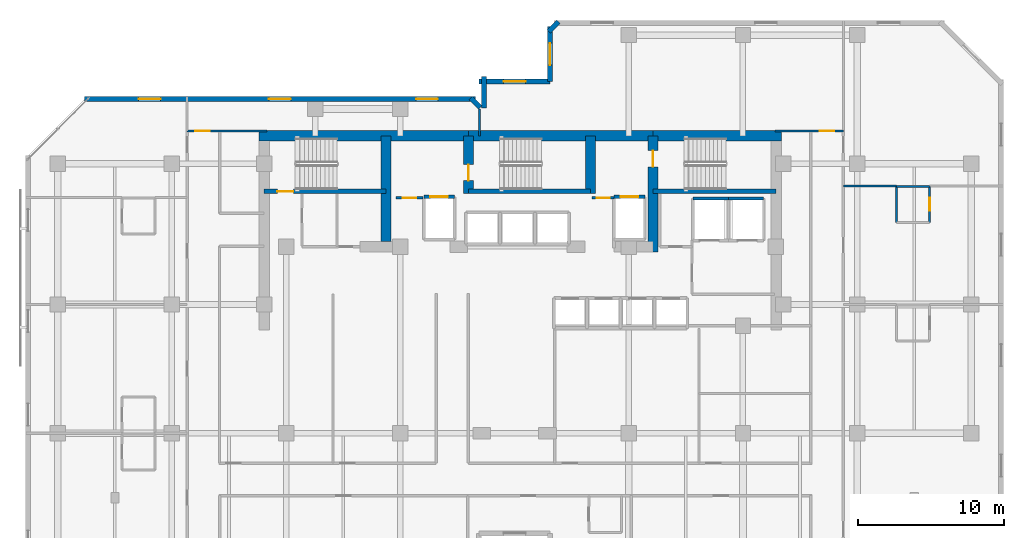
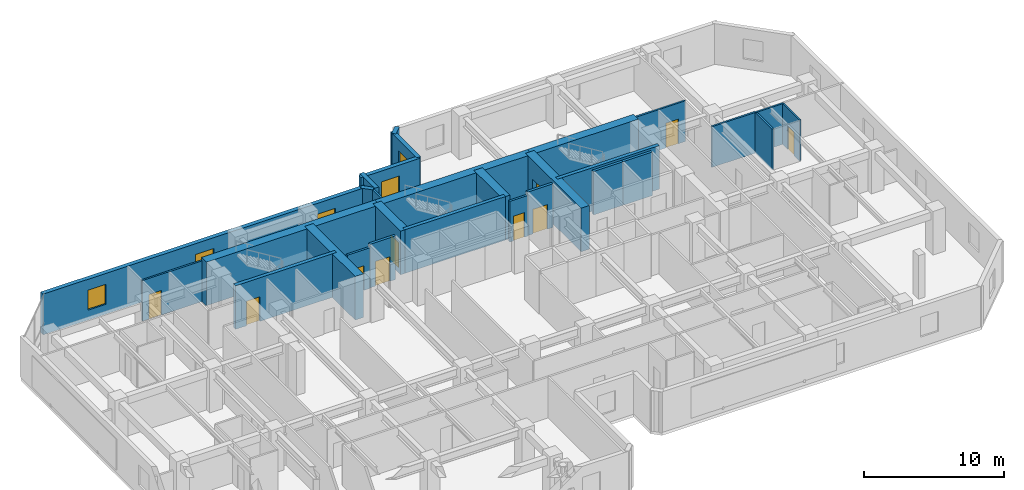
# One storey, part 8 of 11: 29 walls, 10 doors, 5 windows, 15 openings.
"""IFC4 building model written with IfcOpenShell, lengths in metres."""

import ifcopenshell
import ifcopenshell.guid

model = None  # the IFC model being written
_history = None  # IfcOwnerHistory: only IFC2X3 demands one
_inside = {}  # id of a spatial element -> (the spatial element, [elements in it])
_under = {}  # id of a project, library or spatial element -> (it, [spatial elements below it])
_declared = {}  # id of a project -> (the project, [libraries it declares])
_typed = {}  # id of a type object -> (the type object, [elements of that type])
_made_of = {}  # id of a material, layer set ... -> (it, [elements and type objects made of it])


def new_model(schema):
    """Start an empty IFC model of exactly this schema.

    Asked for "IFC4X3", IfcOpenShell would pick the latest addendum, in which some entities
    have other attributes; the version numbers below select the first issue.
    IFC2X3 requires an IfcOwnerHistory on every rooted entity: one is made here for all.
    """
    global model, _history
    if schema == "IFC4X3":
        model = ifcopenshell.file(schema_version=(4, 3, 0, 0))
    else:
        model = ifcopenshell.file(schema=schema)
    _inside.clear()
    _under.clear()
    _declared.clear()
    _typed.clear()
    _made_of.clear()
    _history = None
    if model.schema == "IFC2X3":
        org = make("IfcOrganization", Name="unknown")
        user = make(
            "IfcPersonAndOrganization",
            ThePerson=make("IfcPerson", FamilyName="unknown"),
            TheOrganization=org,
        )
        app = make(
            "IfcApplication",
            ApplicationDeveloper=org,
            Version="unknown",
            ApplicationFullName="unknown",
            ApplicationIdentifier="unknown",
        )
        _history = make(
            "IfcOwnerHistory",
            OwningUser=user,
            OwningApplication=app,
            ChangeAction="ADDED",
            CreationDate=0,
        )
    return model


def make(cls, **values):
    """One entity of the class cls with the attributes given. An attribute that is None is left unset."""
    return model.create_entity(
        cls, **{name: value for name, value in values.items() if value is not None}
    )


def rooted(cls, **values):
    """An entity with a GlobalId (a new one), such as an element, a storey or a relation."""
    return make(cls, GlobalId=ifcopenshell.guid.new(), OwnerHistory=_history, **values)


def si_unit(unit_type, name, prefix=None):
    """IfcSIUnit, for example si_unit("LENGTHUNIT", "METRE", prefix="MILLI")."""
    return make("IfcSIUnit", UnitType=unit_type, Prefix=prefix, Name=name)


def assignment(units):
    """IfcUnitAssignment: the units of a project."""
    return None if units is None else make("IfcUnitAssignment", Units=units)


def point(xyz):
    """IfcCartesianPoint."""
    return None if xyz is None else make("IfcCartesianPoint", Coordinates=xyz)


def direction(xyz):
    """IfcDirection."""
    return None if xyz is None else make("IfcDirection", DirectionRatios=xyz)


def frame(location, z_axis=None, x_axis=None):
    """IfcAxis2Placement3D, a coordinate frame: its origin and axes. An axis left out is left unset."""
    return make(
        "IfcAxis2Placement3D",
        Location=point(location),
        Axis=direction(z_axis),
        RefDirection=direction(x_axis),
    )


def frame_2d(location, x_axis=None):
    """IfcAxis2Placement2D, a coordinate frame in the plane: its origin and x axis."""
    return make(
        "IfcAxis2Placement2D", Location=point(location), RefDirection=direction(x_axis)
    )


def origin():
    """The frame at (0, 0, 0) with its axes left unset."""
    return frame((0.0, 0.0, 0.0))


def place(relative_to, where):
    """IfcLocalPlacement: puts the frame where relative to a parent placement (None: the world)."""
    return make(
        "IfcLocalPlacement", PlacementRelTo=relative_to, RelativePlacement=where
    )


def context(
    kind, dimensions, precision=None, world=None, true_north=None, identifier=None
):
    """IfcGeometricRepresentationContext, for example the 3D "Model" context."""
    return make(
        "IfcGeometricRepresentationContext",
        ContextIdentifier=identifier,
        ContextType=kind,
        CoordinateSpaceDimension=dimensions,
        Precision=precision,
        WorldCoordinateSystem=world,
        TrueNorth=true_north,
    )


def subcontext(parent, identifier, kind, view, scale=None):
    """IfcGeometricRepresentationSubContext, for example "Body" below "Model"."""
    return make(
        "IfcGeometricRepresentationSubContext",
        ContextIdentifier=identifier,
        ContextType=kind,
        ParentContext=parent,
        TargetScale=scale,
        TargetView=view,
    )


def project(units=None, contexts=None):
    """IfcProject with its units and contexts."""
    return rooted(
        "IfcProject",
        Name="project",
        RepresentationContexts=contexts,
        UnitsInContext=assignment(units),
    )


def spatial(cls, under=None, at=None, **own):
    """A site, building, storey or space (cls), placed at a placement, below another one or the project."""
    s = rooted(cls, ObjectPlacement=at, **own)
    if under is not None:
        _under.setdefault(under.id(), (under, []))[1].append(s)
    return s


def profile(cls, at=None, kind="AREA", **sizes):
    """A parametric profile (cls). Its sizes go by their IFC names, for example OverallWidth=200.0."""
    return make(cls, ProfileType=kind, Position=at, **sizes)


def rectangle(**sizes):
    """IfcRectangleProfileDef."""
    return profile("IfcRectangleProfileDef", **sizes)


def extrude(swept, where, along, depth):
    """IfcExtrudedAreaSolid: the profile swept, set in the frame where, extruded along a direction by depth."""
    return make(
        "IfcExtrudedAreaSolid",
        SweptArea=swept,
        Position=where,
        ExtrudedDirection=direction(along),
        Depth=depth,
    )


def shape(context_of_items, identifier, shape_type, items):
    """IfcShapeRepresentation: the items that make up one representation, for example the "Body"."""
    return make(
        "IfcShapeRepresentation",
        ContextOfItems=context_of_items,
        RepresentationIdentifier=identifier,
        RepresentationType=shape_type,
        Items=items,
    )


def material(Name=None, Category=None):
    """IfcMaterial."""
    return make("IfcMaterial", Name=Name, Category=Category)


def layer(
    of_material, thickness, ventilated=None, Name=None, Category=None, Priority=None
):
    """IfcMaterialLayer: one layer of a wall or slab, of a material (None: an air gap)."""
    return make(
        "IfcMaterialLayer",
        Material=of_material,
        LayerThickness=thickness,
        IsVentilated=ventilated,
        Name=Name,
        Category=Category,
        Priority=Priority,
    )


def layer_set(layers, Name=None):
    """IfcMaterialLayerSet."""
    return make("IfcMaterialLayerSet", MaterialLayers=layers, LayerSetName=Name)


def made_of(thing, what):
    """Note that an element or type object is made of a material, layer set ...; save() writes the relation."""
    if what is not None:
        _made_of.setdefault(what.id(), (what, []))[1].append(thing)
    return thing


def type_object(cls, material=None, **own):
    """A type object (cls), such as IfcWallType, which elements share."""
    return made_of(rooted(cls, **own), material)


def element(
    cls,
    number,
    at=None,
    inside=None,
    cuts=None,
    type_object=None,
    material=None,
    context=None,
    identifier="Body",
    shape_type=None,
    held_by="IfcProductDefinitionShape",
    body=None,
    shapes=None,
    **own,
):
    """One element of the class cls, such as IfcWall. Its Tag is "e" and its number.

    at: its placement. inside: the storey or other place that contains it. cuts: it is an
    opening in that element (IfcRelVoidsElement). A single representation is given by context,
    identifier, shape_type and body (its items); several are given by shapes. held_by: the class
    of the entity that holds the representations. save() writes the other relations.
    """
    e = rooted(cls, Tag="e%d" % number, ObjectPlacement=at, **own)
    if body is not None:
        shapes = [shape(context, identifier, shape_type, body)]
    if shapes is not None:
        e.Representation = make(held_by, Representations=shapes)
    if inside is not None:
        _inside.setdefault(inside.id(), (inside, []))[1].append(e)
    if cuts is not None:
        rooted(
            "IfcRelVoidsElement", RelatingBuildingElement=cuts, RelatedOpeningElement=e
        )
    if type_object is not None:
        _typed.setdefault(type_object.id(), (type_object, []))[1].append(e)
    return made_of(e, material)


def fill(opening, filler):
    """IfcRelFillsElement: the door or window that sits in an opening."""
    return rooted(
        "IfcRelFillsElement",
        RelatingOpeningElement=opening,
        RelatedBuildingElement=filler,
    )


def aggregate(whole, parts):
    """IfcRelAggregates: a whole, such as a stair, and the parts it consists of."""
    return rooted("IfcRelAggregates", RelatingObject=whole, RelatedObjects=parts)


def save(model, path):
    """Write the relations noted so far, then the file.

    IfcRelAggregates (storeys below a building ...), IfcRelContainedInSpatialStructure (elements
    in a storey), IfcRelDefinesByType, IfcRelAssociatesMaterial and IfcRelDeclares: one each for
    every whole, place, type object, material and project.
    """
    for whole, parts in _under.values():
        aggregate(whole, parts)
    for where, things in _inside.values():
        rooted(
            "IfcRelContainedInSpatialStructure",
            RelatedElements=things,
            RelatingStructure=where,
        )
    for kind, things in _typed.values():
        rooted("IfcRelDefinesByType", RelatedObjects=things, RelatingType=kind)
    for what, things in _made_of.values():
        rooted("IfcRelAssociatesMaterial", RelatedObjects=things, RelatingMaterial=what)
    for by, libraries in _declared.values():
        rooted("IfcRelDeclares", RelatingContext=by, RelatedDefinitions=libraries)
    model.write(path)


model = new_model("IFC4")

# Units and contexts
model_context = context("Model", 3, precision=1e-05, world=origin(), true_north=direction((0.0, 1.0)))
body_context = subcontext(model_context, "Body", "Model", "MODEL_VIEW")
ifc_project = project(units=[si_unit("LENGTHUNIT", "METRE"), si_unit("AREAUNIT", "SQUARE_METRE"), si_unit("VOLUMEUNIT", "CUBIC_METRE"), si_unit("PLANEANGLEUNIT", "RADIAN"), si_unit("MASSUNIT", "GRAM", prefix="KILO")], contexts=[model_context])

# Site, building, storey
site_placement = place(None, origin())
site = spatial("IfcSite", under=ifc_project, at=site_placement, CompositionType="ELEMENT")
building_placement = place(site_placement, origin())
building = spatial("IfcBuilding", under=site, at=building_placement, Name="Kestravale Grand Hotel", CompositionType="ELEMENT")
storey_placement = place(building_placement, frame((0.0, 0.0, 165.0)))
storey = spatial("IfcBuildingStorey", under=building, at=storey_placement, Name="L41", CompositionType="ELEMENT", Elevation=165.0)

# Walls
ifc_material_1 = material(Name="Concrete f'c 60 MPa", Category="concrete")
ifc_layer_1 = layer(ifc_material_1, 0.699951171875)
ifc_layer_set_1 = layer_set([ifc_layer_1], Name="EW-CORE-700")
wall_type_1 = type_object("IfcWallType", Name="EW-CORE-700", PredefinedType="SHEAR", material=ifc_layer_set_1)
wall_1_placement = place(storey_placement, frame((21.550048828125, 40.320068359375, 0.0), z_axis=(0.0, 0.0, 1.0), x_axis=(1.0, 0.0, 0.0)))
element("IfcWall", 1, at=wall_1_placement, inside=storey, type_object=wall_type_1, Name="L41 core shear wall N1", PredefinedType="SHEAR", context=body_context, shape_type="SweptSolid", body=[
    extrude(rectangle(XDim=14.300048828125, YDim=0.699951171875, at=frame_2d((7.14990234375, 0.0))), origin(), (0.0, 0.0, 1.0), 3.800048828125),
])
wall_2_placement = place(storey_placement, frame((35.85009765625, 40.320068359375, 0.0), z_axis=(0.0, 0.0, 1.0), x_axis=(1.0, 0.0, 0.0)))
element("IfcWall", 2, at=wall_2_placement, inside=storey, type_object=wall_type_1, Name="L41 core shear wall N2", PredefinedType="SHEAR", context=body_context, shape_type="SweptSolid", body=[
    extrude(rectangle(XDim=12.599853515625, YDim=0.699951171875, at=frame_2d((6.2998046875, 0.0))), origin(), (0.0, 0.0, 1.0), 3.800048828125),
])
wall_3_placement = place(storey_placement, frame((48.449951171875, 40.320068359375, 0.0), z_axis=(0.0, 0.0, 1.0), x_axis=(1.0, 0.0, 0.0)))
element("IfcWall", 3, at=wall_3_placement, inside=storey, type_object=wall_type_1, Name="L41 core shear wall N3", PredefinedType="SHEAR", context=body_context, shape_type="SweptSolid", body=[
    extrude(rectangle(XDim=8.77001953125, YDim=0.699951171875, at=frame_2d((4.385009765625, 0.0))), origin(), (0.0, 0.0, 1.0), 3.800048828125),
])
wall_4_placement = place(storey_placement, frame((30.219970703125, 33.10009765625, 0.0), z_axis=(0.0, 0.0, 1.0), x_axis=(0.0, 1.0, 0.0)))
element("IfcWall", 4, at=wall_4_placement, inside=storey, type_object=wall_type_1, Name="L41 core shear wall X1", PredefinedType="SHEAR", context=body_context, shape_type="SweptSolid", body=[
    extrude(rectangle(XDim=7.219970703125, YDim=0.699951171875, at=frame_2d((3.60986328125, 0.0))), origin(), (0.0, 0.0, 1.0), 3.800048828125),
])

# Wall, opening, door
wall_5_placement = place(storey_placement, frame((35.85009765625, 36.3701171875, 0.0), z_axis=(0.0, 0.0, 1.0), x_axis=(0.0, 1.0, 0.0)))
wall_5 = element("IfcWall", 5, at=wall_5_placement, inside=storey, type_object=wall_type_1, Name="L41 core shear wall X2", PredefinedType="SHEAR", context=body_context, shape_type="SweptSolid", body=[
    extrude(rectangle(XDim=3.949951171875, YDim=0.699951171875, at=frame_2d((1.97509765625, 0.0))), origin(), (0.0, 0.0, 1.0), 3.800048828125),
])
opening_1_placement = place(wall_5_placement, frame((0.8798828125, 0.0, 0.0)))
opening_1 = element("IfcOpeningElement", 6, at=opening_1_placement, cuts=wall_5, Name="Opening D-ST-1100", PredefinedType="OPENING", context=body_context, shape_type="SweptSolid", body=[
    extrude(rectangle(XDim=1.10009765625, YDim=2.14990234375, at=frame_2d((0.550048828125, 1.074951171875))), frame((0.0, 0.35986328125, 0.0), z_axis=(0.0, -1.0, 0.0), x_axis=(1.0, 0.0, 0.0)), (0.0, 0.0, 1.0), 0.719970703125),
])
ifc_material_2 = material(Name="Galvanised 90-minute fire-rated steel stair door", Category="steel")
door_type_1 = type_object("IfcDoorType", Name="D-ST-1100", OperationType="NOTDEFINED", PredefinedType="DOOR", material=ifc_material_2)
door_1_placement = place(opening_1_placement, origin())
door_1 = element("IfcDoor", 7, at=door_1_placement, inside=storey, type_object=door_type_1, Name="L41 Stair ST-2 FSAE fire door", OperationType="SINGLE_SWING_RIGHT", OverallHeight=2.14990234375, OverallWidth=1.10009765625, PredefinedType="DOOR", context=body_context, shape_type="SweptSolid", body=[
    extrude(rectangle(XDim=1.10009765625, YDim=2.14990234375, at=frame_2d((0.550048828125, 1.074951171875))), frame((0.0, 0.02490234375, 0.0), z_axis=(0.0, -1.0, 0.0), x_axis=(1.0, 0.0, 0.0)), (0.0, 0.0, 1.0), 0.050048828125),
])
fill(opening_1, door_1)

# Wall
wall_6_placement = place(storey_placement, frame((44.179931640625, 36.3701171875, 0.0), z_axis=(0.0, 0.0, 1.0), x_axis=(0.0, 1.0, 0.0)))
element("IfcWall", 8, at=wall_6_placement, inside=storey, type_object=wall_type_1, Name="L41 core shear wall X3", PredefinedType="SHEAR", context=body_context, shape_type="SweptSolid", body=[
    extrude(rectangle(XDim=3.949951171875, YDim=0.699951171875, at=frame_2d((1.97509765625, 0.0))), origin(), (0.0, 0.0, 1.0), 3.800048828125),
])

# Wall, opening, door
wall_7_placement = place(storey_placement, frame((48.449951171875, 32.39990234375, 0.0), z_axis=(0.0, 0.0, 1.0), x_axis=(0.0, 1.0, 0.0)))
wall_7 = element("IfcWall", 9, at=wall_7_placement, inside=storey, type_object=wall_type_1, Name="L41 core shear wall X4", PredefinedType="SHEAR", context=body_context, shape_type="SweptSolid", body=[
    extrude(rectangle(XDim=7.920166015625, YDim=0.699951171875, at=frame_2d((3.9599609375, 0.0))), origin(), (0.0, 0.0, 1.0), 3.800048828125),
])
opening_2_placement = place(wall_7_placement, frame((5.800048828125, 0.0, 0.0)))
opening_2 = element("IfcOpeningElement", 10, at=opening_2_placement, cuts=wall_7, Name="Opening D-ST-1100", PredefinedType="OPENING", context=body_context, shape_type="SweptSolid", body=[
    extrude(rectangle(XDim=1.10009765625, YDim=2.14990234375, at=frame_2d((0.550048828125, 1.074951171875))), frame((0.0, 0.35986328125, 0.0), z_axis=(0.0, -1.0, 0.0), x_axis=(1.0, 0.0, 0.0)), (0.0, 0.0, 1.0), 0.719970703125),
])
door_2_placement = place(opening_2_placement, origin())
door_2 = element("IfcDoor", 11, at=door_2_placement, inside=storey, type_object=door_type_1, Name="L41 Stair ST-3 FSAE fire door", OperationType="SINGLE_SWING_RIGHT", OverallHeight=2.14990234375, OverallWidth=1.10009765625, PredefinedType="DOOR", context=body_context, shape_type="SweptSolid", body=[
    extrude(rectangle(XDim=1.10009765625, YDim=2.14990234375, at=frame_2d((0.550048828125, 1.074951171875))), frame((0.0, 0.02490234375, 0.0), z_axis=(0.0, -1.0, 0.0), x_axis=(1.0, 0.0, 0.0)), (0.0, 0.0, 1.0), 0.050048828125),
])
fill(opening_2, door_2)

# Wall
ifc_material_3 = material(Name="Precast concrete f'c 45 MPa", Category="concrete")
ifc_layer_2 = layer(ifc_material_3, 0.340087890625)
ifc_layer_set_2 = layer_set([ifc_layer_2], Name="EW-PREC-340")
wall_type_2 = type_object("IfcWallType", Name="EW-PREC-340", PredefinedType="SOLIDWALL", material=ifc_layer_set_2)
wall_8_placement = place(storey_placement, frame((41.99853515625, 48.108154296875, 0.0), z_axis=(0.0, 0.0, 1.0), x_axis=(-0.707106781187, -0.707106781187, 0.0)))
element("IfcWall", 12, at=wall_8_placement, inside=storey, type_object=wall_type_2, Name="L41 fluted precast facade wall 12", PredefinedType="SOLIDWALL", context=body_context, shape_type="SweptSolid", body=[
    extrude(rectangle(XDim=0.9287109375, YDim=0.340087890625, at=frame_2d((0.46435546875, 0.0))), origin(), (0.0, 0.0, 1.0), 3.550048828125),
])

# Wall, opening, window
wall_9_placement = place(storey_placement, frame((41.419921875, 47.77001953125, 0.0), z_axis=(0.0, 0.0, 1.0), x_axis=(0.0, -1.0, 0.0)))
wall_9 = element("IfcWall", 13, at=wall_9_placement, inside=storey, type_object=wall_type_2, Name="L41 fluted precast facade wall 13", PredefinedType="SOLIDWALL", context=body_context, shape_type="SweptSolid", body=[
    extrude(rectangle(XDim=3.739990234375, YDim=0.340087890625, at=frame_2d((1.8701171875, 0.0))), origin(), (0.0, 0.0, 1.0), 3.550048828125),
])
opening_3_placement = place(wall_9_placement, frame((1.1201171875, 0.0, 0.85009765625)))
opening_3 = element("IfcOpeningElement", 14, at=opening_3_placement, cuts=wall_9, Name="Opening W-GUEST-1500", PredefinedType="OPENING", context=body_context, shape_type="SweptSolid", body=[
    extrude(rectangle(XDim=1.5, YDim=1.75, at=frame_2d((0.75, 0.875))), frame((0.0, 0.179931640625, 0.0), z_axis=(0.0, -1.0, 0.0), x_axis=(1.0, 0.0, 0.0)), (0.0, 0.0, 1.0), 0.360107421875),
])
ifc_material_4 = material(Name="Insulated low-E double glazing in aluminium frame", Category="aluminium")
window_type = type_object("IfcWindowType", Name="W-GUEST-1500", PartitioningType="SINGLE_PANEL", PredefinedType="WINDOW", material=ifc_material_4)
window_1_placement = place(opening_3_placement, origin())
window_1 = element("IfcWindow", 15, at=window_1_placement, inside=storey, type_object=window_type, Name="L41 exterior window 13.1", OverallHeight=1.75, OverallWidth=1.5, PartitioningType="SINGLE_PANEL", PredefinedType="WINDOW", context=body_context, shape_type="SweptSolid", body=[
    extrude(rectangle(XDim=1.5, YDim=1.75, at=frame_2d((0.75, 0.875))), frame((0.0, 0.030029296875, 0.0), z_axis=(0.0, -1.0, 0.0), x_axis=(1.0, 0.0, 0.0)), (0.0, 0.0, 1.0), 0.06005859375),
])
fill(opening_3, window_1)

wall_10_placement = place(storey_placement, frame((41.419921875, 44.030029296875, 0.0), z_axis=(0.0, 0.0, 1.0), x_axis=(-1.0, 0.0, 0.0)))
wall_10 = element("IfcWall", 16, at=wall_10_placement, inside=storey, type_object=wall_type_2, Name="L41 fluted precast facade wall 14", PredefinedType="SOLIDWALL", context=body_context, shape_type="SweptSolid", body=[
    extrude(rectangle(XDim=4.83984375, YDim=0.340087890625, at=frame_2d((2.419921875, 0.0))), origin(), (0.0, 0.0, 1.0), 3.550048828125),
])
opening_4_placement = place(wall_10_placement, frame((1.669921875, 0.0, 0.85009765625)))
opening_4 = element("IfcOpeningElement", 17, at=opening_4_placement, cuts=wall_10, Name="Opening W-GUEST-1500", PredefinedType="OPENING", context=body_context, shape_type="SweptSolid", body=[
    extrude(rectangle(XDim=1.5, YDim=1.75, at=frame_2d((0.75, 0.875))), frame((0.0, 0.179931640625, 0.0), z_axis=(0.0, -1.0, 0.0), x_axis=(1.0, 0.0, 0.0)), (0.0, 0.0, 1.0), 0.360107421875),
])
window_2_placement = place(opening_4_placement, origin())
window_2 = element("IfcWindow", 18, at=window_2_placement, inside=storey, type_object=window_type, Name="L41 exterior window 14.1", OverallHeight=1.75, OverallWidth=1.5, PartitioningType="SINGLE_PANEL", PredefinedType="WINDOW", context=body_context, shape_type="SweptSolid", body=[
    extrude(rectangle(XDim=1.5, YDim=1.75, at=frame_2d((0.75, 0.875))), frame((0.0, 0.030029296875, 0.0), z_axis=(0.0, -1.0, 0.0), x_axis=(1.0, 0.0, 0.0)), (0.0, 0.0, 1.0), 0.06005859375),
])
fill(opening_4, window_2)

# Walls
wall_11_placement = place(storey_placement, frame((36.919921875, 44.3701171875, 0.0), z_axis=(0.0, 0.0, 1.0), x_axis=(0.0, -1.0, 0.0)))
element("IfcWall", 19, at=wall_11_placement, inside=storey, type_object=wall_type_2, Name="L41 fluted precast facade wall 15", PredefinedType="SOLIDWALL", context=body_context, shape_type="SweptSolid", body=[
    extrude(rectangle(XDim=2.14013671875, YDim=0.340087890625, at=frame_2d((1.070068359375, 0.0))), origin(), (0.0, 0.0, 1.0), 3.550048828125),
])
wall_12_placement = place(storey_placement, frame((36.658203125, 42.25146484375, 0.0), z_axis=(0.0, 0.0, 1.0), x_axis=(-0.707106781187, 0.707106781187, 0.0)))
element("IfcWall", 20, at=wall_12_placement, inside=storey, type_object=wall_type_2, Name="L41 fluted precast facade wall 16", PredefinedType="SOLIDWALL", context=body_context, shape_type="SweptSolid", body=[
    extrude(rectangle(XDim=0.9287109375, YDim=0.340087890625, at=frame_2d((0.46435546875, 0.0))), origin(), (0.0, 0.0, 1.0), 3.550048828125),
])

# Wall, openings, windows
wall_13_placement = place(storey_placement, frame((36.320068359375, 42.830078125, 0.0), z_axis=(0.0, 0.0, 1.0), x_axis=(-1.0, 0.0, 0.0)))
wall_13 = element("IfcWall", 21, at=wall_13_placement, inside=storey, type_object=wall_type_2, Name="L41 fluted precast facade wall 17", PredefinedType="SOLIDWALL", context=body_context, shape_type="SweptSolid", body=[
    extrude(rectangle(XDim=26.690185546875, YDim=0.340087890625, at=frame_2d((13.34521484375, 0.0))), origin(), (0.0, 0.0, 1.0), 3.550048828125),
])
opening_5_placement = place(wall_13_placement, frame((2.54833984375, 0.0, 0.85009765625)))
opening_5 = element("IfcOpeningElement", 22, at=opening_5_placement, cuts=wall_13, Name="Opening W-GUEST-1500", PredefinedType="OPENING", context=body_context, shape_type="SweptSolid", body=[
    extrude(rectangle(XDim=1.5, YDim=1.75, at=frame_2d((0.75, 0.875))), frame((0.0, 0.179931640625, 0.0), z_axis=(0.0, -1.0, 0.0), x_axis=(1.0, 0.0, 0.0)), (0.0, 0.0, 1.0), 0.360107421875),
])
opening_6_placement = place(wall_13_placement, frame((12.594970703125, 0.0, 0.85009765625)))
opening_6 = element("IfcOpeningElement", 23, at=opening_6_placement, cuts=wall_13, Name="Opening W-GUEST-1500", PredefinedType="OPENING", context=body_context, shape_type="SweptSolid", body=[
    extrude(rectangle(XDim=1.5, YDim=1.75, at=frame_2d((0.75, 0.875))), frame((0.0, 0.179931640625, 0.0), z_axis=(0.0, -1.0, 0.0), x_axis=(1.0, 0.0, 0.0)), (0.0, 0.0, 1.0), 0.360107421875),
])
opening_7_placement = place(wall_13_placement, frame((21.49169921875, 0.0, 0.85009765625)))
opening_7 = element("IfcOpeningElement", 24, at=opening_7_placement, cuts=wall_13, Name="Opening W-GUEST-1500", PredefinedType="OPENING", context=body_context, shape_type="SweptSolid", body=[
    extrude(rectangle(XDim=1.5, YDim=1.75, at=frame_2d((0.75, 0.875))), frame((0.0, 0.179931640625, 0.0), z_axis=(0.0, -1.0, 0.0), x_axis=(1.0, 0.0, 0.0)), (0.0, 0.0, 1.0), 0.360107421875),
])
window_3_placement = place(opening_5_placement, origin())
window_3 = element("IfcWindow", 25, at=window_3_placement, inside=storey, type_object=window_type, Name="L41 exterior window 17.1", OverallHeight=1.75, OverallWidth=1.5, PartitioningType="SINGLE_PANEL", PredefinedType="WINDOW", context=body_context, shape_type="SweptSolid", body=[
    extrude(rectangle(XDim=1.5, YDim=1.75, at=frame_2d((0.75, 0.875))), frame((0.0, 0.030029296875, 0.0), z_axis=(0.0, -1.0, 0.0), x_axis=(1.0, 0.0, 0.0)), (0.0, 0.0, 1.0), 0.06005859375),
])
fill(opening_5, window_3)
window_4_placement = place(opening_6_placement, origin())
window_4 = element("IfcWindow", 26, at=window_4_placement, inside=storey, type_object=window_type, Name="L41 exterior window 17.2", OverallHeight=1.75, OverallWidth=1.5, PartitioningType="SINGLE_PANEL", PredefinedType="WINDOW", context=body_context, shape_type="SweptSolid", body=[
    extrude(rectangle(XDim=1.5, YDim=1.75, at=frame_2d((0.75, 0.875))), frame((0.0, 0.030029296875, 0.0), z_axis=(0.0, -1.0, 0.0), x_axis=(1.0, 0.0, 0.0)), (0.0, 0.0, 1.0), 0.06005859375),
])
fill(opening_6, window_4)
window_5_placement = place(opening_7_placement, origin())
window_5 = element("IfcWindow", 27, at=window_5_placement, inside=storey, type_object=window_type, Name="L41 exterior window 17.3", OverallHeight=1.75, OverallWidth=1.5, PartitioningType="SINGLE_PANEL", PredefinedType="WINDOW", context=body_context, shape_type="SweptSolid", body=[
    extrude(rectangle(XDim=1.5, YDim=1.75, at=frame_2d((0.75, 0.875))), frame((0.0, 0.030029296875, 0.0), z_axis=(0.0, -1.0, 0.0), x_axis=(1.0, 0.0, 0.0)), (0.0, 0.0, 1.0), 0.06005859375),
])
fill(opening_7, window_5)

# Wall, opening, door
ifc_material_5 = material(Name="Concrete f'c 45 MPa", Category="concrete")
ifc_layer_3 = layer(ifc_material_5, 0.300048828125)
ifc_layer_set_3 = layer_set([ifc_layer_3], Name="EW-STAIR-300")
wall_type_3 = type_object("IfcWallType", Name="EW-STAIR-300", PredefinedType="SHEAR", material=ifc_layer_set_3)
wall_14_placement = place(storey_placement, frame((21.89990234375, 36.52001953125, 0.0), z_axis=(0.0, 0.0, 1.0), x_axis=(1.0, 0.0, 0.0)))
wall_14 = element("IfcWall", 28, at=wall_14_placement, inside=storey, type_object=wall_type_3, Name="L41 stair enclosure shear wall SST1", PredefinedType="SHEAR", context=body_context, shape_type="SweptSolid", body=[
    extrude(rectangle(XDim=8.320068359375, YDim=0.300048828125, at=frame_2d((4.16015625, 0.0))), origin(), (0.0, 0.0, 1.0), 3.800048828125),
])
opening_8_placement = place(wall_14_placement, frame((0.89990234375, 0.0, 0.0)))
opening_8 = element("IfcOpeningElement", 29, at=opening_8_placement, cuts=wall_14, Name="Opening D-ST-1100", PredefinedType="OPENING", context=body_context, shape_type="SweptSolid", body=[
    extrude(rectangle(XDim=1.10009765625, YDim=2.14990234375, at=frame_2d((0.550048828125, 1.074951171875))), frame((0.0, 0.159912109375, 0.0), z_axis=(0.0, -1.0, 0.0), x_axis=(1.0, 0.0, 0.0)), (0.0, 0.0, 1.0), 0.320068359375),
])
door_3_placement = place(opening_8_placement, origin())
door_3 = element("IfcDoor", 30, at=door_3_placement, inside=storey, type_object=door_type_1, Name="L41 Stair ST-1 fire door", OperationType="SINGLE_SWING_RIGHT", OverallHeight=2.14990234375, OverallWidth=1.10009765625, PredefinedType="DOOR", context=body_context, shape_type="SweptSolid", body=[
    extrude(rectangle(XDim=1.10009765625, YDim=2.14990234375, at=frame_2d((0.550048828125, 1.074951171875))), frame((0.0, 0.02490234375, 0.0), z_axis=(0.0, -1.0, 0.0), x_axis=(1.0, 0.0, 0.0)), (0.0, 0.0, 1.0), 0.050048828125),
])
fill(opening_8, door_3)

# Walls
wall_15_placement = place(storey_placement, frame((35.85009765625, 36.52001953125, 0.0), z_axis=(0.0, 0.0, 1.0), x_axis=(1.0, 0.0, 0.0)))
element("IfcWall", 31, at=wall_15_placement, inside=storey, type_object=wall_type_3, Name="L41 stair enclosure shear wall SST2", PredefinedType="SHEAR", context=body_context, shape_type="SweptSolid", body=[
    extrude(rectangle(XDim=8.329833984375, YDim=0.300048828125, at=frame_2d((4.1650390625, 0.0))), origin(), (0.0, 0.0, 1.0), 3.800048828125),
])
wall_16_placement = place(storey_placement, frame((48.449951171875, 36.52001953125, 0.0), z_axis=(0.0, 0.0, 1.0), x_axis=(1.0, 0.0, 0.0)))
element("IfcWall", 32, at=wall_16_placement, inside=storey, type_object=wall_type_3, Name="L41 stair enclosure shear wall SST3", PredefinedType="SHEAR", context=body_context, shape_type="SweptSolid", body=[
    extrude(rectangle(XDim=8.420166015625, YDim=0.300048828125, at=frame_2d((4.2099609375, 0.0))), origin(), (0.0, 0.0, 1.0), 3.800048828125),
])

# Wall, opening, door
ifc_material_6 = material(Name="Fire-rated gypsum board on steel studs with mineral wool", Category="steel")
ifc_layer_4 = layer(ifc_material_6, 0.179931640625)
ifc_layer_set_4 = layer_set([ifc_layer_4], Name="IW-FSAE-180")
wall_type_4 = type_object("IfcWallType", Name="IW-FSAE-180", PredefinedType="PARTITIONING", material=ifc_layer_set_4)
wall_17_placement = place(storey_placement, frame((30.89990234375, 36.080078125, 0.0), z_axis=(0.0, 0.0, 1.0), x_axis=(1.0, 0.0, 0.0)))
wall_17 = element("IfcWall", 33, at=wall_17_placement, inside=storey, type_object=wall_type_4, Name="L41 FSAE Lobby 1 smoke barrier", PredefinedType="PARTITIONING", context=body_context, shape_type="SweptSolid", body=[
    extrude(rectangle(XDim=1.85009765625, YDim=0.179931640625, at=frame_2d((0.925048828125, 0.0))), origin(), (0.0, 0.0, 1.0), 3.550048828125),
])
opening_9_placement = place(wall_17_placement, frame((0.47998046875, 0.0, 0.0)))
opening_9 = element("IfcOpeningElement", 34, at=opening_9_placement, cuts=wall_17, Name="Opening D-FSAE-1000", PredefinedType="OPENING", context=body_context, shape_type="SweptSolid", body=[
    extrude(rectangle(XDim=0.89990234375, YDim=2.14990234375, at=frame_2d((0.449951171875, 1.074951171875))), frame((0.0, 0.099853515625, 0.0), z_axis=(0.0, -1.0, 0.0), x_axis=(1.0, 0.0, 0.0)), (0.0, 0.0, 1.0), 0.199951171875),
])
ifc_material_7 = material(Name="Smoke-gasketed FSAE lobby fire door", Category="steel")
door_type_2 = type_object("IfcDoorType", Name="D-FSAE-1000", OperationType="NOTDEFINED", PredefinedType="DOOR", material=ifc_material_7)
door_4_placement = place(opening_9_placement, origin())
door_4 = element("IfcDoor", 35, at=door_4_placement, inside=storey, type_object=door_type_2, Name="L41 FSAE Lobby 1 fire door", OperationType="SINGLE_SWING_RIGHT", OverallHeight=2.14990234375, OverallWidth=0.89990234375, PredefinedType="DOOR", context=body_context, shape_type="SweptSolid", body=[
    extrude(rectangle(XDim=0.89990234375, YDim=2.14990234375, at=frame_2d((0.449951171875, 1.074951171875))), frame((0.0, 0.02490234375, 0.0), z_axis=(0.0, -1.0, 0.0), x_axis=(1.0, 0.0, 0.0)), (0.0, 0.0, 1.0), 0.050048828125),
])
fill(opening_9, door_4)

wall_18_placement = place(storey_placement, frame((44.300048828125, 36.080078125, 0.0), z_axis=(0.0, 0.0, 1.0), x_axis=(1.0, 0.0, 0.0)))
wall_18 = element("IfcWall", 36, at=wall_18_placement, inside=storey, type_object=wall_type_4, Name="L41 FSAE Lobby 2 smoke barrier", PredefinedType="PARTITIONING", context=body_context, shape_type="SweptSolid", body=[
    extrude(rectangle(XDim=1.5, YDim=0.179931640625, at=frame_2d((0.75, 0.0))), origin(), (0.0, 0.0, 1.0), 3.550048828125),
])
opening_10_placement = place(wall_18_placement, frame((0.300048828125, 0.0, 0.0)))
opening_10 = element("IfcOpeningElement", 37, at=opening_10_placement, cuts=wall_18, Name="Opening D-FSAE-1000", PredefinedType="OPENING", context=body_context, shape_type="SweptSolid", body=[
    extrude(rectangle(XDim=0.89990234375, YDim=2.14990234375, at=frame_2d((0.449951171875, 1.074951171875))), frame((0.0, 0.099853515625, 0.0), z_axis=(0.0, -1.0, 0.0), x_axis=(1.0, 0.0, 0.0)), (0.0, 0.0, 1.0), 0.199951171875),
])
door_5_placement = place(opening_10_placement, origin())
door_5 = element("IfcDoor", 38, at=door_5_placement, inside=storey, type_object=door_type_2, Name="L41 FSAE Lobby 2 fire door", OperationType="SINGLE_SWING_LEFT", OverallHeight=2.14990234375, OverallWidth=0.89990234375, PredefinedType="DOOR", context=body_context, shape_type="SweptSolid", body=[
    extrude(rectangle(XDim=0.89990234375, YDim=2.14990234375, at=frame_2d((0.449951171875, 1.074951171875))), frame((0.0, 0.02490234375, 0.0), z_axis=(0.0, -1.0, 0.0), x_axis=(1.0, 0.0, 0.0)), (0.0, 0.0, 1.0), 0.050048828125),
])
fill(opening_10, door_5)

# Wall
ifc_material_8 = material(Name="Moisture-resistant tile-backer plumbing chase wall", Category="other")
ifc_layer_5 = layer(ifc_material_8, 0.139892578125)
ifc_layer_set_5 = layer_set([ifc_layer_5], Name="IW-PLB-140")
wall_type_5 = type_object("IfcWallType", Name="IW-PLB-140", PredefinedType="PLUMBINGWALL", material=ifc_layer_set_5)
wall_19_placement = place(storey_placement, frame((65.10009765625, 34.409912109375, 0.0), z_axis=(0.0, 0.0, 1.0), x_axis=(0.0, 1.0, 0.0)))
element("IfcWall", 39, at=wall_19_placement, inside=storey, type_object=wall_type_5, Name="W-L41-U07-BW", PredefinedType="PLUMBINGWALL", context=body_context, shape_type="SweptSolid", body=[
    extrude(rectangle(XDim=2.4501953125, YDim=0.139892578125, at=frame_2d((1.22509765625, 0.0))), origin(), (0.0, 0.0, 1.0), 3.550048828125),
])

# Wall, opening, door
wall_20_placement = place(storey_placement, frame((67.35009765625, 34.409912109375, 0.0), z_axis=(0.0, 0.0, 1.0), x_axis=(0.0, 1.0, 0.0)))
wall_20 = element("IfcWall", 40, at=wall_20_placement, inside=storey, type_object=wall_type_5, Name="W-L41-U07-BE", PredefinedType="PLUMBINGWALL", context=body_context, shape_type="SweptSolid", body=[
    extrude(rectangle(XDim=2.4501953125, YDim=0.139892578125, at=frame_2d((1.22509765625, 0.0))), origin(), (0.0, 0.0, 1.0), 3.550048828125),
])
opening_11_placement = place(wall_20_placement, frame((0.784912109375, 0.0, 0.0)))
opening_11 = element("IfcOpeningElement", 41, at=opening_11_placement, cuts=wall_20, Name="Opening D-BATH-880", PredefinedType="OPENING", context=body_context, shape_type="SweptSolid", body=[
    extrude(rectangle(XDim=0.8798828125, YDim=2.050048828125, at=frame_2d((0.43994140625, 1.02490234375))), frame((0.0, 0.079833984375, 0.0), z_axis=(0.0, -1.0, 0.0), x_axis=(1.0, 0.0, 0.0)), (0.0, 0.0, 1.0), 0.159912109375),
])
ifc_material_9 = material(Name="Moisture-sealed walnut en-suite bathroom door", Category="wood")
door_type_3 = type_object("IfcDoorType", Name="D-BATH-880", OperationType="NOTDEFINED", PredefinedType="DOOR", material=ifc_material_9)
door_6_placement = place(opening_11_placement, origin())
door_6 = element("IfcDoor", 42, at=door_6_placement, inside=storey, type_object=door_type_3, Name="D-L41-U07-BATH", OperationType="SINGLE_SWING_RIGHT", OverallHeight=2.050048828125, OverallWidth=0.8798828125, PredefinedType="DOOR", context=body_context, shape_type="SweptSolid", body=[
    extrude(rectangle(XDim=0.8798828125, YDim=2.050048828125, at=frame_2d((0.43994140625, 1.02490234375))), frame((0.0, 0.02490234375, 0.0), z_axis=(0.0, -1.0, 0.0), x_axis=(1.0, 0.0, 0.0)), (0.0, 0.0, 1.0), 0.050048828125),
])
fill(opening_11, door_6)

# Walls
wall_21_placement = place(storey_placement, frame((65.10009765625, 36.860107421875, 0.0), z_axis=(0.0, 0.0, 1.0), x_axis=(1.0, 0.0, 0.0)))
element("IfcWall", 43, at=wall_21_placement, inside=storey, type_object=wall_type_5, Name="W-L41-U07-BN", PredefinedType="PLUMBINGWALL", context=body_context, shape_type="SweptSolid", body=[
    extrude(rectangle(XDim=2.25, YDim=0.139892578125, at=frame_2d((1.125, 0.0))), origin(), (0.0, 0.0, 1.0), 3.550048828125),
])
ifc_material_10 = material(Name="Concrete f'c 45 MPa", Category="concrete")
ifc_layer_6 = layer(ifc_material_10, 0.219970703125)
ifc_layer_set_6 = layer_set([ifc_layer_6], Name="IW-SHAFT-220")
wall_type_6 = type_object("IfcWallType", Name="IW-SHAFT-220", PredefinedType="SHEAR", material=ifc_layer_set_6)
wall_22_placement = place(storey_placement, frame((51.179931640625, 36.030029296875, 0.0), z_axis=(0.0, 0.0, 1.0), x_axis=(1.0, 0.0, 0.0)))
element("IfcWall", 44, at=wall_22_placement, inside=storey, type_object=wall_type_6, Name="L41 SL-1 north shaft wall", PredefinedType="SHEAR", context=body_context, shape_type="SweptSolid", body=[
    extrude(rectangle(XDim=2.420166015625, YDim=0.219970703125, at=frame_2d((1.2099609375, 0.0))), origin(), (0.0, 0.0, 1.0), 3.800048828125),
])
wall_23_placement = place(storey_placement, frame((53.60009765625, 36.030029296875, 0.0), z_axis=(0.0, 0.0, 1.0), x_axis=(1.0, 0.0, 0.0)))
element("IfcWall", 45, at=wall_23_placement, inside=storey, type_object=wall_type_6, Name="L41 SL-2 north shaft wall", PredefinedType="SHEAR", context=body_context, shape_type="SweptSolid", body=[
    extrude(rectangle(XDim=2.419921875, YDim=0.219970703125, at=frame_2d((1.2099609375, 0.0))), origin(), (0.0, 0.0, 1.0), 3.800048828125),
])

# Wall, opening, door
wall_24_placement = place(storey_placement, frame((32.804931640625, 36.155029296875, 0.0), z_axis=(0.0, 0.0, 1.0), x_axis=(1.0, 0.0, 0.0)))
wall_24 = element("IfcWall", 46, at=wall_24_placement, inside=storey, type_object=wall_type_6, Name="L41 FL-1 north shaft wall", PredefinedType="SHEAR", context=body_context, shape_type="SweptSolid", body=[
    extrude(rectangle(XDim=2.090087890625, YDim=0.219970703125, at=frame_2d((1.044921875, 0.0))), origin(), (0.0, 0.0, 1.0), 3.800048828125),
])
opening_12_placement = place(wall_24_placement, frame((0.445068359375, 0.0, 0.0)))
opening_12 = element("IfcOpeningElement", 47, at=opening_12_placement, cuts=wall_24, Name="Opening LD-FSAE-1200", PredefinedType="OPENING", context=body_context, shape_type="SweptSolid", body=[
    extrude(rectangle(XDim=1.199951171875, YDim=2.14990234375, at=frame_2d((0.60009765625, 1.074951171875))), frame((0.0, 0.119873046875, 0.0), z_axis=(0.0, -1.0, 0.0), x_axis=(1.0, 0.0, 0.0)), (0.0, 0.0, 1.0), 0.239990234375),
])
ifc_material_11 = material(Name="Stainless fire-service sliding elevator landing door", Category="steel")
door_type_4 = type_object("IfcDoorType", Name="LD-FSAE-1200", OperationType="NOTDEFINED", PredefinedType="DOOR", material=ifc_material_11)
door_7_placement = place(opening_12_placement, origin())
door_7 = element("IfcDoor", 48, at=door_7_placement, inside=storey, type_object=door_type_4, Name="L41 FL-1 elevator landing sliding door", OperationType="DOUBLE_DOOR_SLIDING", OverallHeight=2.14990234375, OverallWidth=1.199951171875, PredefinedType="DOOR", context=body_context, shape_type="SweptSolid", body=[
    extrude(rectangle(XDim=1.199951171875, YDim=2.14990234375, at=frame_2d((0.60009765625, 1.074951171875))), frame((0.0, 0.02490234375, 0.0), z_axis=(0.0, -1.0, 0.0), x_axis=(1.0, 0.0, 0.0)), (0.0, 0.0, 1.0), 0.050048828125),
])
fill(opening_12, door_7)

wall_25_placement = place(storey_placement, frame((45.804931640625, 36.155029296875, 0.0), z_axis=(0.0, 0.0, 1.0), x_axis=(1.0, 0.0, 0.0)))
wall_25 = element("IfcWall", 49, at=wall_25_placement, inside=storey, type_object=wall_type_6, Name="L41 FL-2 north shaft wall", PredefinedType="SHEAR", context=body_context, shape_type="SweptSolid", body=[
    extrude(rectangle(XDim=2.090087890625, YDim=0.219970703125, at=frame_2d((1.044921875, 0.0))), origin(), (0.0, 0.0, 1.0), 3.800048828125),
])
opening_13_placement = place(wall_25_placement, frame((0.445068359375, 0.0, 0.0)))
opening_13 = element("IfcOpeningElement", 50, at=opening_13_placement, cuts=wall_25, Name="Opening LD-FSAE-1200", PredefinedType="OPENING", context=body_context, shape_type="SweptSolid", body=[
    extrude(rectangle(XDim=1.199951171875, YDim=2.14990234375, at=frame_2d((0.60009765625, 1.074951171875))), frame((0.0, 0.119873046875, 0.0), z_axis=(0.0, -1.0, 0.0), x_axis=(1.0, 0.0, 0.0)), (0.0, 0.0, 1.0), 0.239990234375),
])
door_8_placement = place(opening_13_placement, origin())
door_8 = element("IfcDoor", 51, at=door_8_placement, inside=storey, type_object=door_type_4, Name="L41 FL-2 elevator landing sliding door", OperationType="DOUBLE_DOOR_SLIDING", OverallHeight=2.14990234375, OverallWidth=1.199951171875, PredefinedType="DOOR", context=body_context, shape_type="SweptSolid", body=[
    extrude(rectangle(XDim=1.199951171875, YDim=2.14990234375, at=frame_2d((0.60009765625, 1.074951171875))), frame((0.0, 0.02490234375, 0.0), z_axis=(0.0, -1.0, 0.0), x_axis=(1.0, 0.0, 0.0)), (0.0, 0.0, 1.0), 0.050048828125),
])
fill(opening_13, door_8)

ifc_material_12 = material(Name="Double-stud STC 52 acoustic demising partition", Category="other")
ifc_layer_7 = layer(ifc_material_12, 0.14990234375)
ifc_layer_set_7 = layer_set([ifc_layer_7], Name="IW-UNIT-150")
wall_type_7 = type_object("IfcWallType", Name="IW-UNIT-150", PredefinedType="PARTITIONING", material=ifc_layer_set_7)
wall_26_placement = place(storey_placement, frame((16.639892578125, 40.64990234375, 0.0), z_axis=(0.0, 0.0, 1.0), x_axis=(1.0, 0.0, 0.0)))
wall_26 = element("IfcWall", 52, at=wall_26_placement, inside=storey, type_object=wall_type_7, Name="W-L41-SW-N", PredefinedType="PARTITIONING", context=body_context, shape_type="SweptSolid", body=[
    extrude(rectangle(XDim=5.460205078125, YDim=0.14990234375, at=frame_2d((2.72998046875, 0.0))), origin(), (0.0, 0.0, 1.0), 3.550048828125),
])
opening_14_placement = place(wall_26_placement, frame((0.550048828125, 0.0, 0.0)))
opening_14 = element("IfcOpeningElement", 53, at=opening_14_placement, cuts=wall_26, Name="Opening D-GUEST-1000", PredefinedType="OPENING", context=body_context, shape_type="SweptSolid", body=[
    extrude(rectangle(XDim=1.0, YDim=2.14990234375, at=frame_2d((0.5, 1.074951171875))), frame((0.0, 0.0849609375, 0.0), z_axis=(0.0, -1.0, 0.0), x_axis=(1.0, 0.0, 0.0)), (0.0, 0.0, 1.0), 0.169921875),
])
ifc_material_13 = material(Name="Accessible walnut veneer hotel entrance fire door", Category="wood")
door_type_5 = type_object("IfcDoorType", Name="D-GUEST-1000", OperationType="NOTDEFINED", PredefinedType="DOOR", material=ifc_material_13)
door_9_placement = place(opening_14_placement, origin())
door_9 = element("IfcDoor", 54, at=door_9_placement, inside=storey, type_object=door_type_5, Name="L41 NW Gallery Door", OperationType="SINGLE_SWING_RIGHT", OverallHeight=2.14990234375, OverallWidth=1.0, PredefinedType="DOOR", context=body_context, shape_type="SweptSolid", body=[
    extrude(rectangle(XDim=1.0, YDim=2.14990234375, at=frame_2d((0.5, 1.074951171875))), frame((0.0, 0.02490234375, 0.0), z_axis=(0.0, -1.0, 0.0), x_axis=(1.0, 0.0, 0.0)), (0.0, 0.0, 1.0), 0.050048828125),
])
fill(opening_14, door_9)

wall_27_placement = place(storey_placement, frame((56.800048828125, 40.64990234375, 0.0), z_axis=(0.0, 0.0, 1.0), x_axis=(1.0, 0.0, 0.0)))
wall_27 = element("IfcWall", 55, at=wall_27_placement, inside=storey, type_object=wall_type_7, Name="W-L41-SE-N", PredefinedType="PARTITIONING", context=body_context, shape_type="SweptSolid", body=[
    extrude(rectangle(XDim=4.659912109375, YDim=0.14990234375, at=frame_2d((2.330078125, 0.0))), origin(), (0.0, 0.0, 1.0), 3.550048828125),
])
opening_15_placement = place(wall_27_placement, frame((3.050048828125, 0.0, 0.0)))
opening_15 = element("IfcOpeningElement", 56, at=opening_15_placement, cuts=wall_27, Name="Opening D-GUEST-1000", PredefinedType="OPENING", context=body_context, shape_type="SweptSolid", body=[
    extrude(rectangle(XDim=1.0, YDim=2.14990234375, at=frame_2d((0.5, 1.074951171875))), frame((0.0, 0.0849609375, 0.0), z_axis=(0.0, -1.0, 0.0), x_axis=(1.0, 0.0, 0.0)), (0.0, 0.0, 1.0), 0.169921875),
])
door_10_placement = place(opening_15_placement, origin())
door_10 = element("IfcDoor", 57, at=door_10_placement, inside=storey, type_object=door_type_5, Name="L41 NE Gallery Door", OperationType="SINGLE_SWING_LEFT", OverallHeight=2.14990234375, OverallWidth=1.0, PredefinedType="DOOR", context=body_context, shape_type="SweptSolid", body=[
    extrude(rectangle(XDim=1.0, YDim=2.14990234375, at=frame_2d((0.5, 1.074951171875))), frame((0.0, 0.02490234375, 0.0), z_axis=(0.0, -1.0, 0.0), x_axis=(1.0, 0.0, 0.0)), (0.0, 0.0, 1.0), 0.050048828125),
])
fill(opening_15, door_10)

# Walls
wall_28_placement = place(storey_placement, frame((36.60009765625, 40.320068359375, 0.0), z_axis=(0.0, 0.0, 1.0), x_axis=(0.0, 1.0, 0.0)))
element("IfcWall", 58, at=wall_28_placement, inside=storey, type_object=wall_type_7, Name="W-L41-NGM", PredefinedType="PARTITIONING", context=body_context, shape_type="SweptSolid", body=[
    extrude(rectangle(XDim=1.844970703125, YDim=0.14990234375, at=frame_2d((0.92236328125, 0.0))), origin(), (0.0, 0.0, 1.0), 3.550048828125),
])
wall_29_placement = place(storey_placement, frame((61.4599609375, 36.89990234375, 0.0), z_axis=(0.0, 0.0, 1.0), x_axis=(1.0, 0.0, 0.0)))
element("IfcWall", 59, at=wall_29_placement, inside=storey, type_object=wall_type_7, Name="W-L41-EW-2", PredefinedType="PARTITIONING", context=body_context, shape_type="SweptSolid", body=[
    extrude(rectangle(XDim=3.64013671875, YDim=0.14990234375, at=frame_2d((1.820068359375, 0.0))), origin(), (0.0, 0.0, 1.0), 3.550048828125),
])

save(model, "model.ifc")
